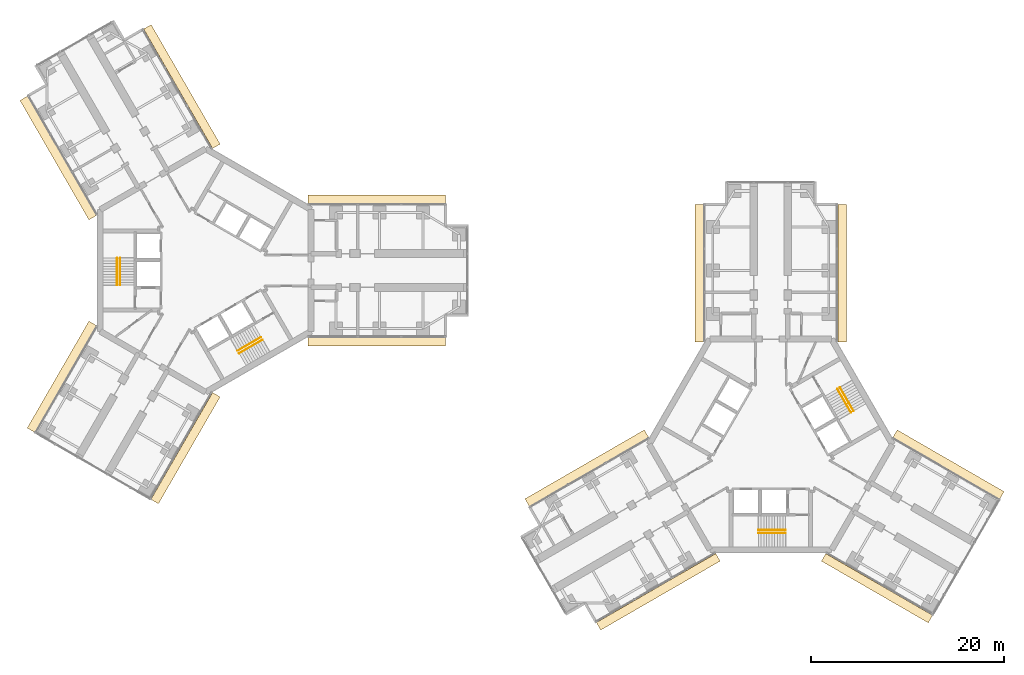
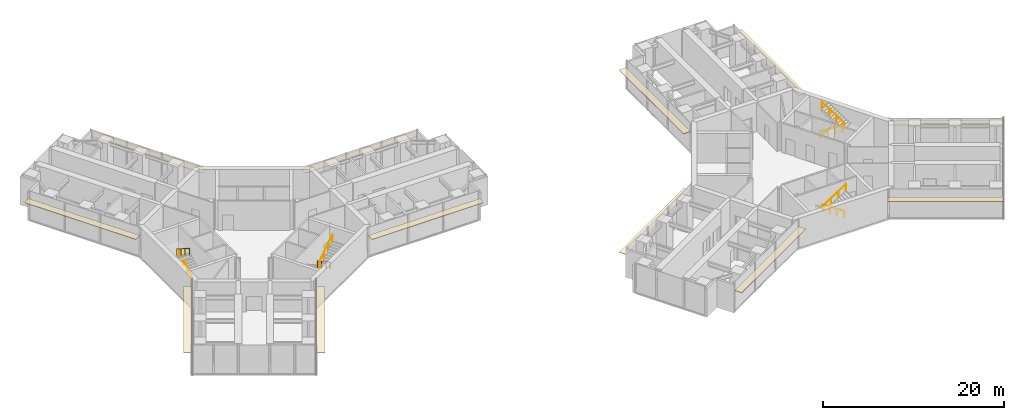
# One storey, part 21 of 21: 12 coverings, 8 railings.
"""IFC4 building model written with IfcOpenShell, lengths in metres."""

from ifc_helpers import new_model, si_unit, direction, frame, origin, origin_2d, place, context, subcontext, project, spatial, rectangle, circle, extrude, material, layer, layer_set, type_object, element, save


model = new_model("IFC4")

# Units and contexts
model_context = context("Model", 3, precision=1e-05, world=origin(), true_north=direction((0.0, 1.0)))
body_context = subcontext(model_context, "Body", "Model", "MODEL_VIEW")
ifc_project = project(units=[si_unit("LENGTHUNIT", "METRE"), si_unit("AREAUNIT", "SQUARE_METRE"), si_unit("VOLUMEUNIT", "CUBIC_METRE"), si_unit("PLANEANGLEUNIT", "RADIAN"), si_unit("MASSUNIT", "GRAM", prefix="KILO")], contexts=[model_context])

# Site, building, storey
site_placement = place(None, origin())
site = spatial("IfcSite", under=ifc_project, at=site_placement, CompositionType="ELEMENT")
building_placement = place(site_placement, origin())
building = spatial("IfcBuilding", under=site, at=building_placement, Name="Upepo Twin Towers", CompositionType="ELEMENT")
storey_placement = place(building_placement, frame((0.0, 0.0, 101.5)))
storey = spatial("IfcBuildingStorey", under=building, at=storey_placement, Name="L24", CompositionType="ELEMENT", Elevation=101.5)

# Coverings
ifc_material_1 = material(Name="Anodised aluminium, pale silver", Category="aluminium")
ifc_layer = layer(ifc_material_1, 0.080078125)
ifc_layer_set = layer_set([ifc_layer], Name="Brise-soleil blade 900 pale aluminium")
covering_type = type_object("IfcCoveringType", Name="Brise-soleil blade 900 pale aluminium", PredefinedType="USERDEFINED", material=ifc_layer_set)
for number, where, z_axis, x_axis, name in (
    (1, (17.718505859375, 7.389892578125, 2.909912109375), (0.0, 0.0, 1.0), (1.0, 0.0, 0.0), "T1 L24 wing A brise-soleil L"),
    (2, (17.718505859375, -7.389892578125, 2.909912109375), (0.0, 0.0, 1.0), (1.0, 0.0, 0.0), "T1 L24 wing A brise-soleil R"),
    (3, (-15.25927734375, 11.649658203125, 2.909912109375), (0.0, 0.0, 1.0), (-0.500000015115, 0.866025395058, 0.0), "T1 L24 wing B brise-soleil L"),
    (4, (-2.459228515625, 19.039794921875, 2.909912109375), (0.0, 0.0, 1.0), (-0.500000015115, 0.866025395058, 0.0), "T1 L24 wing B brise-soleil R"),
):
    element("IfcCovering", number, at=place(storey_placement, frame(where, z_axis=z_axis, x_axis=x_axis)), inside=storey, type_object=covering_type, Name=name, ObjectType="SUNSHADE", PredefinedType="USERDEFINED", context=body_context, shape_type="SweptSolid", body=[
        extrude(rectangle(XDim=14.262939453125, YDim=0.89990234375, at=origin_2d()), origin(), (0.0, 0.0, 1.0), 0.080078125),
    ])
for number, where, z_axis, x_axis, name in (
    (5, (-2.084228515625, -18.39013671875, 2.909912109375), (0.0, 0.0, 1.0), (-0.500000015115, -0.866025395058, 0.0), "T1 L24 wing C brise-soleil L"),
    (6, (-14.88427734375, -11.000244140625, 2.909912109375), (0.0, 0.0, 1.0), (-0.500000015115, -0.866025395058, 0.0), "T1 L24 wing C brise-soleil R"),
):
    element("IfcCovering", number, at=place(storey_placement, frame(where, z_axis=z_axis, x_axis=x_axis)), inside=storey, type_object=covering_type, Name=name, ObjectType="SUNSHADE", PredefinedType="USERDEFINED", context=body_context, shape_type="SweptSolid", body=[
        extrude(rectangle(XDim=12.762939453125, YDim=0.89990234375, at=origin_2d()), origin(), (0.0, 0.0, 1.0), 0.080078125),
    ])
for number, where, z_axis, x_axis, name in (
    (7, (51.110107421875, -0.281494140625, 2.909912109375), (0.0, 0.0, 1.0), (0.0, 1.0, 0.0), "T2 L24 wing A brise-soleil L"),
    (8, (65.889892578125, -0.281494140625, 2.909912109375), (0.0, 0.0, 1.0), (0.0, 1.0, 0.0), "T2 L24 wing A brise-soleil R"),
    (9, (46.850341796875, -33.25927734375, 2.909912109375), (0.0, 0.0, 1.0), (-0.866025395058, -0.500000015115, 0.0), "T2 L24 wing B brise-soleil L"),
    (10, (39.460205078125, -20.459228515625, 2.909912109375), (0.0, 0.0, 1.0), (-0.866025395058, -0.500000015115, 0.0), "T2 L24 wing B brise-soleil R"),
):
    element("IfcCovering", number, at=place(storey_placement, frame(where, z_axis=z_axis, x_axis=x_axis)), inside=storey, type_object=covering_type, Name=name, ObjectType="SUNSHADE", PredefinedType="USERDEFINED", context=body_context, shape_type="SweptSolid", body=[
        extrude(rectangle(XDim=14.262939453125, YDim=0.89990234375, at=origin_2d()), origin(), (0.0, 0.0, 1.0), 0.080078125),
    ])
for number, where, z_axis, x_axis, name in (
    (11, (76.89013671875, -20.084228515625, 2.909912109375), (0.0, 0.0, 1.0), (0.866025395058, -0.500000015115, 0.0), "T2 L24 wing C brise-soleil L"),
    (12, (69.500244140625, -32.88427734375, 2.909912109375), (0.0, 0.0, 1.0), (0.866025395058, -0.500000015115, 0.0), "T2 L24 wing C brise-soleil R"),
):
    element("IfcCovering", number, at=place(storey_placement, frame(where, z_axis=z_axis, x_axis=x_axis)), inside=storey, type_object=covering_type, Name=name, ObjectType="SUNSHADE", PredefinedType="USERDEFINED", context=body_context, shape_type="SweptSolid", body=[
        extrude(rectangle(XDim=12.762939453125, YDim=0.89990234375, at=origin_2d()), origin(), (0.0, 0.0, 1.0), 0.080078125),
    ])

# Railings
ifc_material_2 = material(Name="Stainless steel", Category="steel")
railing_type = type_object("IfcRailingType", Name="Stair handrail 900", PredefinedType="HANDRAIL", material=ifc_material_2)
railing_1_placement = place(storey_placement, frame((-8.85009765625, -1.52001953125, 0.181884765625)))
element("IfcRailing", 13, at=railing_1_placement, inside=storey, type_object=railing_type, Name="T1 stair S1 L24 handrail 1", PredefinedType="HANDRAIL", context=body_context, shape_type="SweptSolid", body=[
    extrude(circle(Radius=0.02392578125, at=origin_2d()), frame((0.0, 0.0, 0.8759765625), z_axis=(0.0, 0.838705829183, 0.544584733623), x_axis=(-1.0, 0.0, 0.0)), (0.0, 0.0, 1.0), 3.338623046875),
    extrude(circle(Radius=0.02099609375, at=origin_2d()), origin(), (0.0, 0.0, 1.0), 0.851806640625),
    extrude(circle(Radius=0.02099609375, at=origin_2d()), frame((0.0, 0.933349609375, 0.60595703125)), (0.0, 0.0, 1.0), 0.851806640625),
    extrude(circle(Radius=0.02099609375, at=origin_2d()), frame((0.0, 1.86669921875, 1.212158203125)), (0.0, 0.0, 1.0), 0.851806640625),
    extrude(circle(Radius=0.02099609375, at=origin_2d()), frame((0.0, 2.800048828125, 1.818115234375)), (0.0, 0.0, 1.0), 0.851806640625),
])
railing_2_placement = place(storey_placement, frame((-9.158447265625, 1.280029296875, 2.181884765625)))
element("IfcRailing", 14, at=railing_2_placement, inside=storey, type_object=railing_type, Name="T1 stair S1 L24 handrail 2", PredefinedType="HANDRAIL", context=body_context, shape_type="SweptSolid", body=[
    extrude(circle(Radius=0.02392578125, at=origin_2d()), frame((0.0, 0.0, 0.8759765625), z_axis=(0.0, -0.838705829183, 0.544584733623), x_axis=(1.0, 0.0, 0.0)), (0.0, 0.0, 1.0), 3.338623046875),
    extrude(circle(Radius=0.02099609375, at=origin_2d()), origin(), (0.0, 0.0, 1.0), 0.851806640625),
    extrude(circle(Radius=0.02099609375, at=origin_2d()), frame((0.0, -0.933349609375, 0.60595703125)), (0.0, 0.0, 1.0), 0.851806640625),
    extrude(circle(Radius=0.02099609375, at=origin_2d()), frame((0.0, -1.86669921875, 1.212158203125)), (0.0, 0.0, 1.0), 0.851806640625),
    extrude(circle(Radius=0.02099609375, at=origin_2d()), frame((0.0, -2.800048828125, 1.818115234375)), (0.0, 0.0, 1.0), 0.851806640625),
])
railing_3_placement = place(storey_placement, frame((5.741455078125, -6.904296875, 0.181884765625)))
element("IfcRailing", 15, at=railing_3_placement, inside=storey, type_object=railing_type, Name="T1 stair S2 L24 handrail 1", PredefinedType="HANDRAIL", context=body_context, shape_type="SweptSolid", body=[
    extrude(circle(Radius=0.02392578125, at=origin_2d()), frame((0.0, 0.0, 0.8759765625), z_axis=(-0.726348578268, -0.419370693282, 0.544560340518), x_axis=(0.500011755427, -0.866018616679, 0.0)), (0.0, 0.0, 1.0), 3.338623046875),
    extrude(circle(Radius=0.02099609375, at=origin_2d()), origin(), (0.0, 0.0, 1.0), 0.851806640625),
    extrude(circle(Radius=0.02099609375, at=origin_2d()), frame((-0.808349609375, -0.466796875, 0.60595703125)), (0.0, 0.0, 1.0), 0.851806640625),
    extrude(circle(Radius=0.02099609375, at=origin_2d()), frame((-1.61669921875, -0.933349609375, 1.212158203125)), (0.0, 0.0, 1.0), 0.851806640625),
    extrude(circle(Radius=0.02099609375, at=origin_2d()), frame((-2.425048828125, -1.400146484375, 1.818115234375)), (0.0, 0.0, 1.0), 0.851806640625),
])
railing_4_placement = place(storey_placement, frame((3.470703125, -8.5712890625, 2.181884765625)))
element("IfcRailing", 16, at=railing_4_placement, inside=storey, type_object=railing_type, Name="T1 stair S2 L24 handrail 2", PredefinedType="HANDRAIL", context=body_context, shape_type="SweptSolid", body=[
    extrude(circle(Radius=0.02392578125, at=origin_2d()), frame((0.0, 0.0, 0.8759765625), z_axis=(0.726336304947, 0.419332699614, 0.544605966869), x_axis=(-0.49998411664, 0.866034573852, 0.0)), (0.0, 0.0, 1.0), 3.33837890625),
    extrude(circle(Radius=0.02099609375, at=origin_2d()), origin(), (0.0, 0.0, 1.0), 0.851806640625),
    extrude(circle(Radius=0.02099609375, at=origin_2d()), frame((0.808349609375, 0.466552734375, 0.60595703125)), (0.0, 0.0, 1.0), 0.851806640625),
    extrude(circle(Radius=0.02099609375, at=origin_2d()), frame((1.616455078125, 0.933349609375, 1.212158203125)), (0.0, 0.0, 1.0), 0.851806640625),
    extrude(circle(Radius=0.02099609375, at=origin_2d()), frame((2.4248046875, 1.39990234375, 1.818115234375)), (0.0, 0.0, 1.0), 0.851806640625),
])
railing_5_placement = place(storey_placement, frame((60.02001953125, -26.85009765625, 0.181884765625)))
element("IfcRailing", 17, at=railing_5_placement, inside=storey, type_object=railing_type, Name="T2 stair S1 L24 handrail 1", PredefinedType="HANDRAIL", context=body_context, shape_type="SweptSolid", body=[
    extrude(circle(Radius=0.02392578125, at=origin_2d()), frame((0.0, 0.0, 0.8759765625), z_axis=(-0.838705829183, 0.0, 0.544584733623), x_axis=(0.0, -1.0, 0.0)), (0.0, 0.0, 1.0), 3.338623046875),
    extrude(circle(Radius=0.02099609375, at=origin_2d()), origin(), (0.0, 0.0, 1.0), 0.851806640625),
    extrude(circle(Radius=0.02099609375, at=origin_2d()), frame((-0.933349609375, 0.0, 0.60595703125)), (0.0, 0.0, 1.0), 0.851806640625),
    extrude(circle(Radius=0.02099609375, at=origin_2d()), frame((-1.86669921875, 0.0, 1.212158203125)), (0.0, 0.0, 1.0), 0.851806640625),
    extrude(circle(Radius=0.02099609375, at=origin_2d()), frame((-2.800048828125, 0.0, 1.818115234375)), (0.0, 0.0, 1.0), 0.851806640625),
])
railing_6_placement = place(storey_placement, frame((57.219970703125, -27.158447265625, 2.181884765625)))
element("IfcRailing", 18, at=railing_6_placement, inside=storey, type_object=railing_type, Name="T2 stair S1 L24 handrail 2", PredefinedType="HANDRAIL", context=body_context, shape_type="SweptSolid", body=[
    extrude(circle(Radius=0.02392578125, at=origin_2d()), frame((0.0, 0.0, 0.8759765625), z_axis=(0.838705829183, 0.0, 0.544584733623), x_axis=(0.0, 1.0, 0.0)), (0.0, 0.0, 1.0), 3.338623046875),
    extrude(circle(Radius=0.02099609375, at=origin_2d()), origin(), (0.0, 0.0, 1.0), 0.851806640625),
    extrude(circle(Radius=0.02099609375, at=origin_2d()), frame((0.933349609375, 0.0, 0.60595703125)), (0.0, 0.0, 1.0), 0.851806640625),
    extrude(circle(Radius=0.02099609375, at=origin_2d()), frame((1.86669921875, 0.0, 1.212158203125)), (0.0, 0.0, 1.0), 0.851806640625),
    extrude(circle(Radius=0.02099609375, at=origin_2d()), frame((2.800048828125, 0.0, 1.818115234375)), (0.0, 0.0, 1.0), 0.851806640625),
])
railing_7_placement = place(storey_placement, frame((65.404296875, -12.258544921875, 0.181884765625)))
element("IfcRailing", 19, at=railing_7_placement, inside=storey, type_object=railing_type, Name="T2 stair S2 L24 handrail 1", PredefinedType="HANDRAIL", context=body_context, shape_type="SweptSolid", body=[
    extrude(circle(Radius=0.02392578125, at=origin_2d()), frame((0.0, 0.0, 0.8759765625), z_axis=(0.419370693282, -0.726348578268, 0.544560340518), x_axis=(0.866018616679, 0.500011755427, 0.0)), (0.0, 0.0, 1.0), 3.338623046875),
    extrude(circle(Radius=0.02099609375, at=origin_2d()), origin(), (0.0, 0.0, 1.0), 0.851806640625),
    extrude(circle(Radius=0.02099609375, at=origin_2d()), frame((0.466796875, -0.808349609375, 0.60595703125)), (0.0, 0.0, 1.0), 0.851806640625),
    extrude(circle(Radius=0.02099609375, at=origin_2d()), frame((0.933349609375, -1.61669921875, 1.212158203125)), (0.0, 0.0, 1.0), 0.851806640625),
    extrude(circle(Radius=0.02099609375, at=origin_2d()), frame((1.400146484375, -2.425048828125, 1.818115234375)), (0.0, 0.0, 1.0), 0.851806640625),
])
railing_8_placement = place(storey_placement, frame((67.0712890625, -14.529296875, 2.181884765625)))
element("IfcRailing", 20, at=railing_8_placement, inside=storey, type_object=railing_type, Name="T2 stair S2 L24 handrail 2", PredefinedType="HANDRAIL", context=body_context, shape_type="SweptSolid", body=[
    extrude(circle(Radius=0.02392578125, at=origin_2d()), frame((0.0, 0.0, 0.8759765625), z_axis=(-0.419332699614, 0.726336304947, 0.544605966869), x_axis=(-0.866034573852, -0.49998411664, 0.0)), (0.0, 0.0, 1.0), 3.33837890625),
    extrude(circle(Radius=0.02099609375, at=origin_2d()), origin(), (0.0, 0.0, 1.0), 0.851806640625),
    extrude(circle(Radius=0.02099609375, at=origin_2d()), frame((-0.466552734375, 0.808349609375, 0.60595703125)), (0.0, 0.0, 1.0), 0.851806640625),
    extrude(circle(Radius=0.02099609375, at=origin_2d()), frame((-0.933349609375, 1.616455078125, 1.212158203125)), (0.0, 0.0, 1.0), 0.851806640625),
    extrude(circle(Radius=0.02099609375, at=origin_2d()), frame((-1.39990234375, 2.4248046875, 1.818115234375)), (0.0, 0.0, 1.0), 0.851806640625),
])

save(model, "model.ifc")
